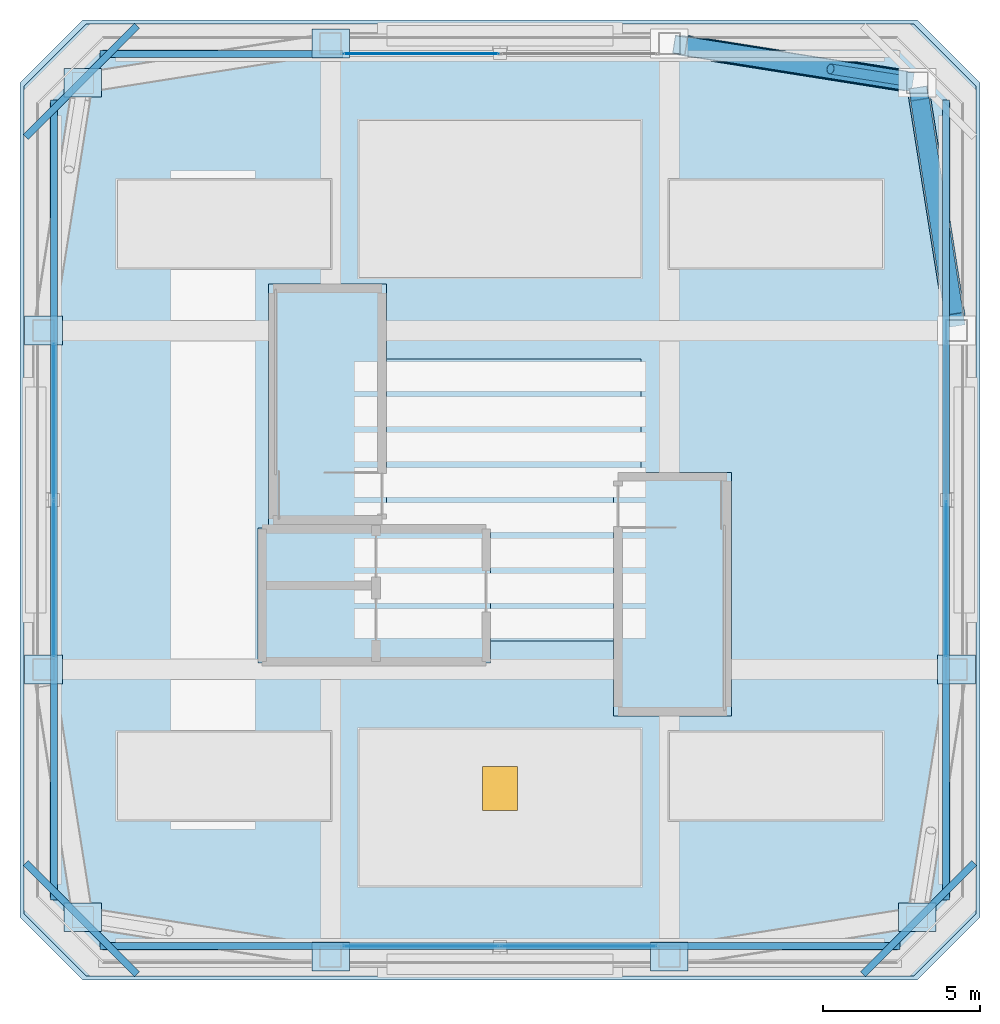
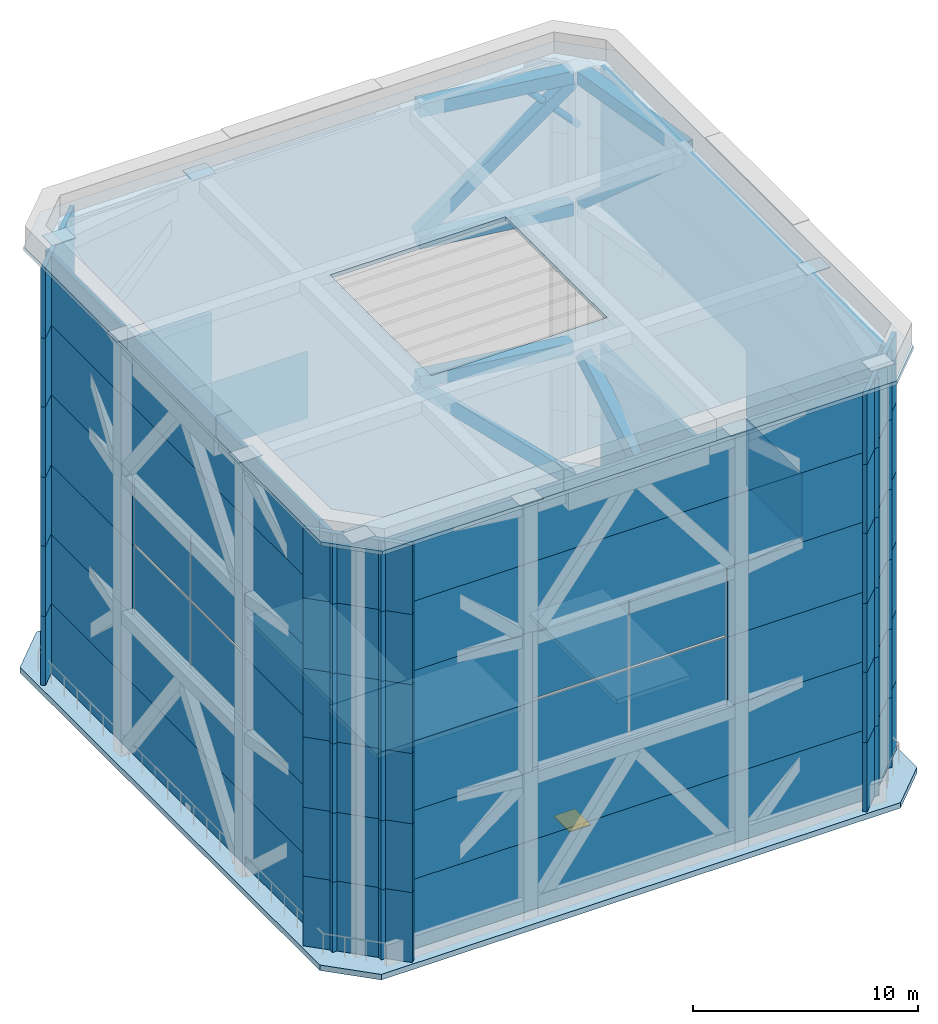
# One storey, part 24 of 28: 62 plates, 5 members, 5 slabs, 4 beams, 1 door, 1 opening, 7 elements without a shape of their own.
"""IFC4 building model written with IfcOpenShell, lengths in metres."""

from ifc_helpers import new_model, si_unit, direction, frame, origin, origin_2d, place, context, subcontext, project, spatial, polyline, rectangle, hollow_rectangle, hollow_circle, outline, extrude, material, layer, layer_set, material_profile, profile_set, type_object, element, fill, aggregate, save


model = new_model("IFC4")

# Units and contexts
model_context = context("Model", 3, precision=1e-05, world=origin(), true_north=direction((0.0, 1.0)))
body_context = subcontext(model_context, "Body", "Model", "MODEL_VIEW")
ifc_project = project(units=[si_unit("LENGTHUNIT", "METRE"), si_unit("AREAUNIT", "SQUARE_METRE"), si_unit("VOLUMEUNIT", "CUBIC_METRE"), si_unit("PLANEANGLEUNIT", "RADIAN"), si_unit("MASSUNIT", "GRAM", prefix="KILO")], contexts=[model_context])

# Site, building, storey
site_placement = place(None, origin())
site = spatial("IfcSite", under=ifc_project, at=site_placement, CompositionType="ELEMENT")
building_placement = place(site_placement, origin())
building = spatial("IfcBuilding", under=site, at=building_placement, Name="Tashvorn Skyway Center", CompositionType="ELEMENT")
storey_placement = place(building_placement, frame((0.0, 0.0, 277.60009765625)))
storey = spatial("IfcBuildingStorey", under=building, at=storey_placement, Name="Roof Level", CompositionType="ELEMENT", Elevation=277.60009765625)

# Beams
ifc_material_1 = material(Name="Steel ASTM A572 Grade 50", Category="steel")
ifc_material_profile_1 = material_profile(ifc_material_1, hollow_rectangle(XDim=0.64990234375, YDim=0.64990234375, WallThickness=0.02490234375, at=origin_2d()), Name="BOX650x650x25")
ifc_profile_set_1 = profile_set([ifc_material_profile_1], Name="Steel ASTM A572 Grade 50")
beam_type_1 = type_object("IfcBeamType", Name="BM-BEAM-BOX650x650x25", PredefinedType="BEAM", material=ifc_profile_set_1)
for number, where, z_axis, x_axis, name in (
    (1, (54.959228515625, 45.35400390625, 7.52978515625), (-0.987713891031, 0.156273060583, 0.0), (-0.156273060583, -0.987713891031, 0.0), "CROWN FRAME Tower 1 Lower-Tier Ring Beam 07"),
    (2, (54.959228515625, 45.35400390625, 15.059814453125), (-0.987713891031, 0.156273060583, 0.0), (-0.156273060583, -0.987713891031, 0.0), "CROWN FRAME Tower 1 Upper-Tier Ring Beam 07"),
):
    element("IfcBeam", number, at=place(storey_placement, frame(where, z_axis=z_axis, x_axis=x_axis)), inside=storey, type_object=beam_type_1, Name=name, PredefinedType="BEAM", context=body_context, shape_type="SweptSolid", body=[
        extrude(hollow_rectangle(XDim=0.64990234375, YDim=0.64990234375, WallThickness=0.02490234375, at=origin_2d()), origin(), (0.0, 0.0, 1.0), 7.308349609375),
    ])
ifc_material_profile_2 = material_profile(ifc_material_1, hollow_rectangle(XDim=0.699951171875, YDim=0.699951171875, WallThickness=0.028076171875, at=origin_2d()), Name="BOX700x700x28")
ifc_profile_set_2 = profile_set([ifc_material_profile_2], Name="Steel ASTM A572 Grade 50")
beam_type_2 = type_object("IfcBeamType", Name="BM-BEAM-BOX700x700x28", PredefinedType="BEAM", material=ifc_profile_set_2)
for number, where, z_axis, x_axis, name in (
    (3, (56.49609375, 37.74072265625, 22.239990234375), (-0.156273060583, 0.987713891031, 0.0), (-0.987713891031, -0.156273060583, 0.0), "CROWN FRAME Tower 1 Top Cap Ring Beam 06"),
    (4, (54.959228515625, 45.35400390625, 22.239990234375), (-0.987713891031, 0.156273060583, 0.0), (-0.156273060583, -0.987713891031, 0.0), "CROWN FRAME Tower 1 Top Cap Ring Beam 07"),
):
    element("IfcBeam", number, at=place(storey_placement, frame(where, z_axis=z_axis, x_axis=x_axis)), inside=storey, type_object=beam_type_2, Name=name, PredefinedType="BEAM", context=body_context, shape_type="SweptSolid", body=[
        extrude(hollow_rectangle(XDim=0.699951171875, YDim=0.699951171875, WallThickness=0.028076171875, at=origin_2d()), origin(), (0.0, 0.0, 1.0), 7.308349609375),
    ])

# Members
ifc_material_profile_3 = material_profile(ifc_material_1, hollow_rectangle(XDim=0.60009765625, YDim=0.60009765625, WallThickness=0.02490234375, at=origin_2d()), Name="BOX600x600x25")
ifc_profile_set_3 = profile_set([ifc_material_profile_3], Name="Steel ASTM A572 Grade 50")
member_type_1 = type_object("IfcMemberType", Name="MEM-CF-BRC-600", PredefinedType="BRACE", material=ifc_profile_set_3)
member_1_placement = place(storey_placement, frame((56.49609375, 37.74072265625, 0.349853515625), z_axis=(-0.113940248546, 0.720152058307, 0.684396546365), x_axis=(-0.987713891031, -0.156273060583, 0.0)))
element("IfcMember", 5, at=member_1_placement, inside=storey, type_object=member_type_1, Name="CROWN FRAME Tower 1 Lower Portal Brace 06", PredefinedType="BRACE", context=body_context, shape_type="SweptSolid", body=[
    extrude(hollow_rectangle(XDim=0.60009765625, YDim=0.60009765625, WallThickness=0.02490234375, at=origin_2d()), origin(), (0.0, 0.0, 1.0), 10.023681640625),
])
member_2_placement = place(storey_placement, frame((55.35400390625, 44.959228515625, 15.3798828125), z_axis=(0.116611530317, -0.737035724004, 0.665717727373), x_axis=(0.987713891031, 0.156273060583, 0.0)))
element("IfcMember", 6, at=member_2_placement, inside=storey, type_object=member_type_1, Name="CROWN FRAME Tower 1 Upper Portal Brace 06", PredefinedType="BRACE", context=body_context, shape_type="SweptSolid", body=[
    extrude(hollow_rectangle(XDim=0.60009765625, YDim=0.60009765625, WallThickness=0.02490234375, at=origin_2d()), origin(), (0.0, 0.0, 1.0), 9.7939453125),
])
member_3_placement = place(storey_placement, frame((54.959228515625, 45.35400390625, 0.349853515625), z_axis=(-0.720152058307, 0.113940248546, 0.684396546365), x_axis=(-0.156273060583, -0.987713891031, 0.0)))
element("IfcMember", 7, at=member_3_placement, inside=storey, type_object=member_type_1, Name="CROWN FRAME Tower 1 Lower Portal Brace 07", PredefinedType="BRACE", context=body_context, shape_type="SweptSolid", body=[
    extrude(hollow_rectangle(XDim=0.60009765625, YDim=0.60009765625, WallThickness=0.02490234375, at=origin_2d()), origin(), (0.0, 0.0, 1.0), 10.023681640625),
])
member_4_placement = place(storey_placement, frame((47.74072265625, 46.49609375, 15.3798828125), z_axis=(0.737035724004, -0.116611530317, 0.665717727373), x_axis=(0.156273060583, 0.987713891031, 0.0)))
element("IfcMember", 8, at=member_4_placement, inside=storey, type_object=member_type_1, Name="CROWN FRAME Tower 1 Upper Portal Brace 07", PredefinedType="BRACE", context=body_context, shape_type="SweptSolid", body=[
    extrude(hollow_rectangle(XDim=0.60009765625, YDim=0.60009765625, WallThickness=0.02490234375, at=origin_2d()), origin(), (0.0, 0.0, 1.0), 9.7939453125),
])
ifc_material_profile_4 = material_profile(ifc_material_1, hollow_circle(Radius=0.162109375, WallThickness=0.01611328125, at=origin_2d()), Name="CHS324x16")
ifc_profile_set_4 = profile_set([ifc_material_profile_4], Name="Steel ASTM A572 Grade 50")
member_type_2 = type_object("IfcMemberType", Name="MEM-ST-324", PredefinedType="STRUT", material=ifc_profile_set_4)
member_5_placement = place(storey_placement, frame((55.300048828125, 45.300048828125, 19.389892578125), z_axis=(-0.692140281618, 0.109510452469, 0.713406820378), x_axis=(-0.156276041632, -0.987713419374, 0.0)))
element("IfcMember", 9, at=member_5_placement, inside=storey, type_object=member_type_2, Name="CROWN FRAME Tower 1 Corner Knee-Strut 3", PredefinedType="STRUT", context=body_context, shape_type="SweptSolid", body=[
    extrude(hollow_circle(Radius=0.162109375, WallThickness=0.01611328125, at=origin_2d()), origin(), (0.0, 0.0, 1.0), 3.9951171875),
])

# Curtain wall, plates
ifc_material_2 = material(Name="Thermally broken bronze-anodized aluminium 6063-T6", Category="aluminium")
curtain_wall_type = type_object("IfcCurtainWallType", Name="CW-CW-SKY", PredefinedType="NOTDEFINED", material=ifc_material_2)
curtain_wall_1_placement = place(storey_placement, origin())
curtain_wall_1 = element("IfcCurtainWall", 10, at=curtain_wall_1_placement, inside=storey, type_object=curtain_wall_type, Name="CROWN Lantern Fritted Curtain Wall T1 S-3", PredefinedType="NOTDEFINED")
ifc_material_3 = material(Name="Low-E solar-control double insulating safety glass", Category="glass")
ifc_layer_1 = layer(ifc_material_3, 0.028076171875)
ifc_layer_set_1 = layer_set([ifc_layer_1], Name="Low-E solar-control double insulating safety glass")
plate_type_1 = type_object("IfcPlateType", Name="CWP-CW-SKY", PredefinedType="CURTAIN_PANEL", material=ifc_layer_set_1)
plate_1_placement = place(storey_placement, frame((44.5087890625, 17.780029296875, 7.5947265625), z_axis=(0.0, 0.0, 1.0), x_axis=(-1.0, 0.0, 0.0)))
plate_1 = element("IfcPlate", 11, at=plate_1_placement, type_object=plate_type_1, Name="CW-SKY panel 1.1", PredefinedType="CURTAIN_PANEL", context=body_context, shape_type="SweptSolid", body=[
    extrude(rectangle(XDim=4.952392578125, YDim=0.028076171875, at=origin_2d()), origin(), (0.0, 0.0, 1.0), 3.635009765625),
])
plate_2_placement = place(storey_placement, frame((39.4912109375, 17.780029296875, 7.5947265625), z_axis=(0.0, 0.0, 1.0), x_axis=(-1.0, 0.0, 0.0)))
plate_2 = element("IfcPlate", 12, at=plate_2_placement, type_object=plate_type_1, Name="CW-SKY panel 2.1", PredefinedType="CURTAIN_PANEL", context=body_context, shape_type="SweptSolid", body=[
    extrude(rectangle(XDim=4.952392578125, YDim=0.028076171875, at=origin_2d()), origin(), (0.0, 0.0, 1.0), 3.635009765625),
])
aggregate(curtain_wall_1, [plate_1, plate_2])

curtain_wall_2_placement = place(storey_placement, origin())
curtain_wall_2 = element("IfcCurtainWall", 13, at=curtain_wall_2_placement, inside=storey, type_object=curtain_wall_type, Name="CROWN Lantern Fritted Curtain Wall T1 S-4", PredefinedType="NOTDEFINED")
plate_3_placement = place(storey_placement, frame((44.5087890625, 17.780029296875, 11.35986328125), z_axis=(0.0, 0.0, 1.0), x_axis=(-1.0, 0.0, 0.0)))
plate_3 = element("IfcPlate", 14, at=plate_3_placement, type_object=plate_type_1, Name="CW-SKY panel 1.1", PredefinedType="CURTAIN_PANEL", context=body_context, shape_type="SweptSolid", body=[
    extrude(rectangle(XDim=4.952392578125, YDim=0.028076171875, at=origin_2d()), origin(), (0.0, 0.0, 1.0), 3.635009765625),
])
plate_4_placement = place(storey_placement, frame((39.4912109375, 17.780029296875, 11.35986328125), z_axis=(0.0, 0.0, 1.0), x_axis=(-1.0, 0.0, 0.0)))
plate_4 = element("IfcPlate", 15, at=plate_4_placement, type_object=plate_type_1, Name="CW-SKY panel 2.1", PredefinedType="CURTAIN_PANEL", context=body_context, shape_type="SweptSolid", body=[
    extrude(rectangle(XDim=4.952392578125, YDim=0.028076171875, at=origin_2d()), origin(), (0.0, 0.0, 1.0), 3.635009765625),
])
aggregate(curtain_wall_2, [plate_3, plate_4])

# Curtain wall, plate
curtain_wall_3_placement = place(storey_placement, origin())
curtain_wall_3 = element("IfcCurtainWall", 16, at=curtain_wall_3_placement, inside=storey, type_object=curtain_wall_type, Name="CROWN Lantern Fritted Curtain Wall T1 E-3", PredefinedType="NOTDEFINED")
plate_5_placement = place(storey_placement, frame((56.219970703125, 29.4912109375, 7.5947265625), z_axis=(0.0, 0.0, 1.0), x_axis=(0.0, -1.0, 0.0)))
plate_5 = element("IfcPlate", 17, at=plate_5_placement, type_object=plate_type_1, Name="CW-SKY panel 2.1", PredefinedType="CURTAIN_PANEL", context=body_context, shape_type="SweptSolid", body=[
    extrude(rectangle(XDim=4.952392578125, YDim=0.028076171875, at=origin_2d()), origin(), (0.0, 0.0, 1.0), 3.635009765625),
])
aggregate(curtain_wall_3, [plate_5])

curtain_wall_4_placement = place(storey_placement, origin())
curtain_wall_4 = element("IfcCurtainWall", 18, at=curtain_wall_4_placement, inside=storey, type_object=curtain_wall_type, Name="CROWN Lantern Fritted Curtain Wall T1 E-4", PredefinedType="NOTDEFINED")
plate_6_placement = place(storey_placement, frame((56.219970703125, 29.4912109375, 11.35986328125), z_axis=(0.0, 0.0, 1.0), x_axis=(0.0, -1.0, 0.0)))
plate_6 = element("IfcPlate", 19, at=plate_6_placement, type_object=plate_type_1, Name="CW-SKY panel 2.1", PredefinedType="CURTAIN_PANEL", context=body_context, shape_type="SweptSolid", body=[
    extrude(rectangle(XDim=4.952392578125, YDim=0.028076171875, at=origin_2d()), origin(), (0.0, 0.0, 1.0), 3.635009765625),
])
aggregate(curtain_wall_4, [plate_6])

curtain_wall_5_placement = place(storey_placement, origin())
curtain_wall_5 = element("IfcCurtainWall", 20, at=curtain_wall_5_placement, inside=storey, type_object=curtain_wall_type, Name="CROWN Lantern Fritted Curtain Wall T1 N-3", PredefinedType="NOTDEFINED")
plate_7_placement = place(storey_placement, frame((39.4912109375, 46.219970703125, 7.5947265625), z_axis=(0.0, 0.0, 1.0), x_axis=(1.0, 0.0, 0.0)))
plate_7 = element("IfcPlate", 21, at=plate_7_placement, type_object=plate_type_1, Name="CW-SKY panel 1.1", PredefinedType="CURTAIN_PANEL", context=body_context, shape_type="SweptSolid", body=[
    extrude(rectangle(XDim=4.952392578125, YDim=0.028076171875, at=origin_2d()), origin(), (0.0, 0.0, 1.0), 3.635009765625),
])
aggregate(curtain_wall_5, [plate_7])

# Curtain wall, plates
curtain_wall_6_placement = place(storey_placement, origin())
curtain_wall_6 = element("IfcCurtainWall", 22, at=curtain_wall_6_placement, inside=storey, type_object=curtain_wall_type, Name="CROWN Lantern Fritted Curtain Wall T1 W-3", PredefinedType="NOTDEFINED")
plate_8_placement = place(storey_placement, frame((27.780029296875, 29.4912109375, 7.5947265625), z_axis=(0.0, 0.0, 1.0), x_axis=(0.0, 1.0, 0.0)))
plate_8 = element("IfcPlate", 23, at=plate_8_placement, type_object=plate_type_1, Name="CW-SKY panel 1.1", PredefinedType="CURTAIN_PANEL", context=body_context, shape_type="SweptSolid", body=[
    extrude(rectangle(XDim=4.952392578125, YDim=0.028076171875, at=origin_2d()), origin(), (0.0, 0.0, 1.0), 3.635009765625),
])
plate_9_placement = place(storey_placement, frame((27.780029296875, 34.5087890625, 7.5947265625), z_axis=(0.0, 0.0, 1.0), x_axis=(0.0, 1.0, 0.0)))
plate_9 = element("IfcPlate", 24, at=plate_9_placement, type_object=plate_type_1, Name="CW-SKY panel 2.1", PredefinedType="CURTAIN_PANEL", context=body_context, shape_type="SweptSolid", body=[
    extrude(rectangle(XDim=4.952392578125, YDim=0.028076171875, at=origin_2d()), origin(), (0.0, 0.0, 1.0), 3.635009765625),
])
aggregate(curtain_wall_6, [plate_8, plate_9])

curtain_wall_7_placement = place(storey_placement, origin())
curtain_wall_7 = element("IfcCurtainWall", 25, at=curtain_wall_7_placement, inside=storey, type_object=curtain_wall_type, Name="CROWN Lantern Fritted Curtain Wall T1 W-4", PredefinedType="NOTDEFINED")
plate_10_placement = place(storey_placement, frame((27.780029296875, 29.4912109375, 11.35986328125), z_axis=(0.0, 0.0, 1.0), x_axis=(0.0, 1.0, 0.0)))
plate_10 = element("IfcPlate", 26, at=plate_10_placement, type_object=plate_type_1, Name="CW-SKY panel 1.1", PredefinedType="CURTAIN_PANEL", context=body_context, shape_type="SweptSolid", body=[
    extrude(rectangle(XDim=4.952392578125, YDim=0.028076171875, at=origin_2d()), origin(), (0.0, 0.0, 1.0), 3.635009765625),
])
plate_11_placement = place(storey_placement, frame((27.780029296875, 34.5087890625, 11.35986328125), z_axis=(0.0, 0.0, 1.0), x_axis=(0.0, 1.0, 0.0)))
plate_11 = element("IfcPlate", 27, at=plate_11_placement, type_object=plate_type_1, Name="CW-SKY panel 2.1", PredefinedType="CURTAIN_PANEL", context=body_context, shape_type="SweptSolid", body=[
    extrude(rectangle(XDim=4.952392578125, YDim=0.028076171875, at=origin_2d()), origin(), (0.0, 0.0, 1.0), 3.635009765625),
])
aggregate(curtain_wall_7, [plate_10, plate_11])

# Plates
ifc_layer_2 = layer(ifc_material_1, 0.034912109375)
ifc_layer_set_2 = layer_set([ifc_layer_2], Name="Steel ASTM A572 Grade 50")
plate_type_2 = type_object("IfcPlateType", Name="PLT-CAP-35", PredefinedType="USERDEFINED", material=ifc_layer_set_2)
for number, where, z_axis, x_axis, name in (
    (28, (28.699951171875, 18.699951171875, 22.58740234375), (0.0, 0.0, 1.0), (1.0, 0.0, 0.0), "CROWN FRAME Tower 1 Column Cap Plate MC-SW"),
    (29, (55.300048828125, 18.699951171875, 22.58740234375), (0.0, 0.0, 1.0), (1.0, 0.0, 0.0), "CROWN FRAME Tower 1 Column Cap Plate MC-SE"),
    (30, (28.699951171875, 45.300048828125, 22.58740234375), (0.0, 0.0, 1.0), (1.0, 0.0, 0.0), "CROWN FRAME Tower 1 Column Cap Plate MC-NW"),
    (31, (36.60009765625, 17.449951171875, 22.58740234375), (0.0, 0.0, 1.0), (1.0, 0.0, 0.0), "CROWN FRAME Tower 1 Column Cap Plate FC-S1"),
    (32, (47.39990234375, 17.449951171875, 22.58740234375), (0.0, 0.0, 1.0), (1.0, 0.0, 0.0), "CROWN FRAME Tower 1 Column Cap Plate FC-S2"),
    (33, (56.550048828125, 26.60009765625, 22.58740234375), (0.0, 0.0, 1.0), (1.0, 0.0, 0.0), "CROWN FRAME Tower 1 Column Cap Plate FC-E1"),
    (34, (36.60009765625, 46.550048828125, 22.58740234375), (0.0, 0.0, 1.0), (1.0, 0.0, 0.0), "CROWN FRAME Tower 1 Column Cap Plate FC-N2"),
    (35, (27.449951171875, 37.39990234375, 22.58740234375), (0.0, 0.0, 1.0), (1.0, 0.0, 0.0), "CROWN FRAME Tower 1 Column Cap Plate FC-W1"),
    (36, (27.449951171875, 26.60009765625, 22.58740234375), (0.0, 0.0, 1.0), (1.0, 0.0, 0.0), "CROWN FRAME Tower 1 Column Cap Plate FC-W2"),
):
    element("IfcPlate", number, at=place(storey_placement, frame(where, z_axis=z_axis, x_axis=x_axis)), inside=storey, type_object=plate_type_2, Name=name, ObjectType="END PLATE", PredefinedType="USERDEFINED", context=body_context, shape_type="SweptSolid", body=[
        extrude(rectangle(XDim=1.199951171875, YDim=0.919921875, at=origin_2d()), origin(), (0.0, 0.0, 1.0), 0.034912109375),
    ])
ifc_material_4 = material(Name="Perforated ceramic-coated bronze aluminium solar screen", Category="aluminium")
ifc_layer_3 = layer(ifc_material_4, 0.219970703125)
ifc_layer_set_3 = layer_set([ifc_layer_3], Name="Perforated ceramic-coated bronze aluminium solar screen")
plate_type_3 = type_object("IfcPlateType", Name="PLT-CROWN-SCREEN", PredefinedType="USERDEFINED", material=ifc_layer_set_3)
for number, where, z_axis, x_axis, name in (
    (37, (42.0, 17.780029296875, -0.02001953125), (0.0, 0.0, 1.0), (1.0, 0.0, 0.0), "CROWN Perforated Ceramic-Metal Solar Screen Panel T1 S-1"),
    (38, (42.0, 17.780029296875, 3.7451171875), (0.0, 0.0, 1.0), (1.0, 0.0, 0.0), "CROWN Perforated Ceramic-Metal Solar Screen Panel T1 S-2"),
):
    element("IfcPlate", number, at=place(storey_placement, frame(where, z_axis=z_axis, x_axis=x_axis)), inside=storey, type_object=plate_type_3, Name=name, ObjectType="SOLAR SCREEN", PredefinedType="USERDEFINED", context=body_context, shape_type="SweptSolid", body=[
        extrude(rectangle(XDim=25.5, YDim=0.219970703125, at=origin_2d()), origin(), (0.0, 0.0, 1.0), 3.804931640625),
    ])
for number, where, z_axis, x_axis, name in (
    (39, (50.875, 17.780029296875, 7.509765625), (0.0, 0.0, 1.0), (1.0, 0.0, 0.0), "CROWN Solar Screen Flanking Panel T1 S-3L"),
    (40, (33.125, 17.780029296875, 7.509765625), (0.0, 0.0, 1.0), (1.0, 0.0, 0.0), "CROWN Solar Screen Flanking Panel T1 S-3R"),
    (41, (50.875, 17.780029296875, 11.27490234375), (0.0, 0.0, 1.0), (1.0, 0.0, 0.0), "CROWN Solar Screen Flanking Panel T1 S-4L"),
    (42, (33.125, 17.780029296875, 11.27490234375), (0.0, 0.0, 1.0), (1.0, 0.0, 0.0), "CROWN Solar Screen Flanking Panel T1 S-4R"),
):
    element("IfcPlate", number, at=place(storey_placement, frame(where, z_axis=z_axis, x_axis=x_axis)), inside=storey, type_object=plate_type_3, Name=name, ObjectType="SOLAR SCREEN", PredefinedType="USERDEFINED", context=body_context, shape_type="SweptSolid", body=[
        extrude(rectangle(XDim=7.75, YDim=0.219970703125, at=origin_2d()), origin(), (0.0, 0.0, 1.0), 3.804931640625),
    ])
for number, where, z_axis, x_axis, name in (
    (43, (42.0, 17.780029296875, 15.0400390625), (0.0, 0.0, 1.0), (1.0, 0.0, 0.0), "CROWN Perforated Ceramic-Metal Solar Screen Panel T1 S-5"),
    (44, (42.0, 17.780029296875, 18.80517578125), (0.0, 0.0, 1.0), (1.0, 0.0, 0.0), "CROWN Perforated Ceramic-Metal Solar Screen Panel T1 S-6"),
    (45, (56.219970703125, 32.0, -0.02001953125), (0.0, 0.0, 1.0), (0.0, 1.0, 0.0), "CROWN Perforated Ceramic-Metal Solar Screen Panel T1 E-1"),
    (46, (56.219970703125, 32.0, 3.7451171875), (0.0, 0.0, 1.0), (0.0, 1.0, 0.0), "CROWN Perforated Ceramic-Metal Solar Screen Panel T1 E-2"),
):
    element("IfcPlate", number, at=place(storey_placement, frame(where, z_axis=z_axis, x_axis=x_axis)), inside=storey, type_object=plate_type_3, Name=name, ObjectType="SOLAR SCREEN", PredefinedType="USERDEFINED", context=body_context, shape_type="SweptSolid", body=[
        extrude(rectangle(XDim=25.5, YDim=0.219970703125, at=origin_2d()), origin(), (0.0, 0.0, 1.0), 3.804931640625),
    ])
for number, where, z_axis, x_axis, name in (
    (47, (56.219970703125, 23.125, 7.509765625), (0.0, 0.0, 1.0), (0.0, 1.0, 0.0), "CROWN Solar Screen Flanking Panel T1 E-3R"),
    (48, (56.219970703125, 23.125, 11.27490234375), (0.0, 0.0, 1.0), (0.0, 1.0, 0.0), "CROWN Solar Screen Flanking Panel T1 E-4R"),
):
    element("IfcPlate", number, at=place(storey_placement, frame(where, z_axis=z_axis, x_axis=x_axis)), inside=storey, type_object=plate_type_3, Name=name, ObjectType="SOLAR SCREEN", PredefinedType="USERDEFINED", context=body_context, shape_type="SweptSolid", body=[
        extrude(rectangle(XDim=7.75, YDim=0.219970703125, at=origin_2d()), origin(), (0.0, 0.0, 1.0), 3.804931640625),
    ])
for number, where, z_axis, x_axis, name in (
    (49, (56.219970703125, 32.0, 15.0400390625), (0.0, 0.0, 1.0), (0.0, 1.0, 0.0), "CROWN Perforated Ceramic-Metal Solar Screen Panel T1 E-5"),
    (50, (56.219970703125, 32.0, 18.80517578125), (0.0, 0.0, 1.0), (0.0, 1.0, 0.0), "CROWN Perforated Ceramic-Metal Solar Screen Panel T1 E-6"),
):
    element("IfcPlate", number, at=place(storey_placement, frame(where, z_axis=z_axis, x_axis=x_axis)), inside=storey, type_object=plate_type_3, Name=name, ObjectType="SOLAR SCREEN", PredefinedType="USERDEFINED", context=body_context, shape_type="SweptSolid", body=[
        extrude(rectangle(XDim=25.5, YDim=0.219970703125, at=origin_2d()), origin(), (0.0, 0.0, 1.0), 3.804931640625),
    ])
for number, where, z_axis, x_axis, name in (
    (51, (33.125, 46.219970703125, 7.509765625), (0.0, 0.0, 1.0), (-1.0, 0.0, 0.0), "CROWN Solar Screen Flanking Panel T1 N-3L"),
    (52, (33.125, 46.219970703125, 11.27490234375), (0.0, 0.0, 1.0), (-1.0, 0.0, 0.0), "CROWN Solar Screen Flanking Panel T1 N-4L"),
):
    element("IfcPlate", number, at=place(storey_placement, frame(where, z_axis=z_axis, x_axis=x_axis)), inside=storey, type_object=plate_type_3, Name=name, ObjectType="SOLAR SCREEN", PredefinedType="USERDEFINED", context=body_context, shape_type="SweptSolid", body=[
        extrude(rectangle(XDim=7.75, YDim=0.219970703125, at=origin_2d()), origin(), (0.0, 0.0, 1.0), 3.804931640625),
    ])
for number, where, z_axis, x_axis, name in (
    (53, (27.780029296875, 32.0, -0.02001953125), (0.0, 0.0, 1.0), (0.0, -1.0, 0.0), "CROWN Perforated Ceramic-Metal Solar Screen Panel T1 W-1"),
    (54, (27.780029296875, 32.0, 3.7451171875), (0.0, 0.0, 1.0), (0.0, -1.0, 0.0), "CROWN Perforated Ceramic-Metal Solar Screen Panel T1 W-2"),
):
    element("IfcPlate", number, at=place(storey_placement, frame(where, z_axis=z_axis, x_axis=x_axis)), inside=storey, type_object=plate_type_3, Name=name, ObjectType="SOLAR SCREEN", PredefinedType="USERDEFINED", context=body_context, shape_type="SweptSolid", body=[
        extrude(rectangle(XDim=25.5, YDim=0.219970703125, at=origin_2d()), origin(), (0.0, 0.0, 1.0), 3.804931640625),
    ])
for number, where, z_axis, x_axis, name in (
    (55, (27.780029296875, 23.125, 7.509765625), (0.0, 0.0, 1.0), (0.0, -1.0, 0.0), "CROWN Solar Screen Flanking Panel T1 W-3L"),
    (56, (27.780029296875, 40.875, 7.509765625), (0.0, 0.0, 1.0), (0.0, -1.0, 0.0), "CROWN Solar Screen Flanking Panel T1 W-3R"),
    (57, (27.780029296875, 23.125, 11.27490234375), (0.0, 0.0, 1.0), (0.0, -1.0, 0.0), "CROWN Solar Screen Flanking Panel T1 W-4L"),
    (58, (27.780029296875, 40.875, 11.27490234375), (0.0, 0.0, 1.0), (0.0, -1.0, 0.0), "CROWN Solar Screen Flanking Panel T1 W-4R"),
):
    element("IfcPlate", number, at=place(storey_placement, frame(where, z_axis=z_axis, x_axis=x_axis)), inside=storey, type_object=plate_type_3, Name=name, ObjectType="SOLAR SCREEN", PredefinedType="USERDEFINED", context=body_context, shape_type="SweptSolid", body=[
        extrude(rectangle(XDim=7.75, YDim=0.219970703125, at=origin_2d()), origin(), (0.0, 0.0, 1.0), 3.804931640625),
    ])
for number, where, z_axis, x_axis, name in (
    (59, (27.780029296875, 32.0, 15.0400390625), (0.0, 0.0, 1.0), (0.0, -1.0, 0.0), "CROWN Perforated Ceramic-Metal Solar Screen Panel T1 W-5"),
    (60, (27.780029296875, 32.0, 18.80517578125), (0.0, 0.0, 1.0), (0.0, -1.0, 0.0), "CROWN Perforated Ceramic-Metal Solar Screen Panel T1 W-6"),
):
    element("IfcPlate", number, at=place(storey_placement, frame(where, z_axis=z_axis, x_axis=x_axis)), inside=storey, type_object=plate_type_3, Name=name, ObjectType="SOLAR SCREEN", PredefinedType="USERDEFINED", context=body_context, shape_type="SweptSolid", body=[
        extrude(rectangle(XDim=25.5, YDim=0.219970703125, at=origin_2d()), origin(), (0.0, 0.0, 1.0), 3.804931640625),
    ])
for number, where, z_axis, x_axis, name in (
    (61, (28.655029296875, 18.655029296875, -0.02001953125), (0.0, 0.0, 1.0), (-0.707106781187, 0.707106781187, 0.0), "CROWN Perforated Ceramic-Metal Solar Screen Chamfer Panel T1 SW-1"),
    (62, (28.655029296875, 18.655029296875, 3.7451171875), (0.0, 0.0, 1.0), (-0.707106781187, 0.707106781187, 0.0), "CROWN Perforated Ceramic-Metal Solar Screen Chamfer Panel T1 SW-2"),
    (63, (28.655029296875, 18.655029296875, 7.509765625), (0.0, 0.0, 1.0), (-0.707106781187, 0.707106781187, 0.0), "CROWN Perforated Ceramic-Metal Solar Screen Chamfer Panel T1 SW-3"),
    (64, (28.655029296875, 18.655029296875, 11.27490234375), (0.0, 0.0, 1.0), (-0.707106781187, 0.707106781187, 0.0), "CROWN Perforated Ceramic-Metal Solar Screen Chamfer Panel T1 SW-4"),
    (65, (28.655029296875, 18.655029296875, 15.0400390625), (0.0, 0.0, 1.0), (-0.707106781187, 0.707106781187, 0.0), "CROWN Perforated Ceramic-Metal Solar Screen Chamfer Panel T1 SW-5"),
    (66, (28.655029296875, 18.655029296875, 18.80517578125), (0.0, 0.0, 1.0), (-0.707106781187, 0.707106781187, 0.0), "CROWN Perforated Ceramic-Metal Solar Screen Chamfer Panel T1 SW-6"),
    (67, (55.344970703125, 18.655029296875, -0.02001953125), (0.0, 0.0, 1.0), (0.707106781187, 0.707106781187, 0.0), "CROWN Perforated Ceramic-Metal Solar Screen Chamfer Panel T1 SE-1"),
    (68, (55.344970703125, 18.655029296875, 3.7451171875), (0.0, 0.0, 1.0), (0.707106781187, 0.707106781187, 0.0), "CROWN Perforated Ceramic-Metal Solar Screen Chamfer Panel T1 SE-2"),
    (69, (55.344970703125, 18.655029296875, 7.509765625), (0.0, 0.0, 1.0), (0.707106781187, 0.707106781187, 0.0), "CROWN Perforated Ceramic-Metal Solar Screen Chamfer Panel T1 SE-3"),
    (70, (55.344970703125, 18.655029296875, 11.27490234375), (0.0, 0.0, 1.0), (0.707106781187, 0.707106781187, 0.0), "CROWN Perforated Ceramic-Metal Solar Screen Chamfer Panel T1 SE-4"),
    (71, (55.344970703125, 18.655029296875, 15.0400390625), (0.0, 0.0, 1.0), (0.707106781187, 0.707106781187, 0.0), "CROWN Perforated Ceramic-Metal Solar Screen Chamfer Panel T1 SE-5"),
    (72, (55.344970703125, 18.655029296875, 18.80517578125), (0.0, 0.0, 1.0), (0.707106781187, 0.707106781187, 0.0), "CROWN Perforated Ceramic-Metal Solar Screen Chamfer Panel T1 SE-6"),
    (73, (28.655029296875, 45.344970703125, -0.02001953125), (0.0, 0.0, 1.0), (-0.707106781187, -0.707106781187, 0.0), "CROWN Perforated Ceramic-Metal Solar Screen Chamfer Panel T1 NW-1"),
    (74, (28.655029296875, 45.344970703125, 3.7451171875), (0.0, 0.0, 1.0), (-0.707106781187, -0.707106781187, 0.0), "CROWN Perforated Ceramic-Metal Solar Screen Chamfer Panel T1 NW-2"),
    (75, (28.655029296875, 45.344970703125, 7.509765625), (0.0, 0.0, 1.0), (-0.707106781187, -0.707106781187, 0.0), "CROWN Perforated Ceramic-Metal Solar Screen Chamfer Panel T1 NW-3"),
    (76, (28.655029296875, 45.344970703125, 11.27490234375), (0.0, 0.0, 1.0), (-0.707106781187, -0.707106781187, 0.0), "CROWN Perforated Ceramic-Metal Solar Screen Chamfer Panel T1 NW-4"),
    (77, (28.655029296875, 45.344970703125, 15.0400390625), (0.0, 0.0, 1.0), (-0.707106781187, -0.707106781187, 0.0), "CROWN Perforated Ceramic-Metal Solar Screen Chamfer Panel T1 NW-5"),
    (78, (28.655029296875, 45.344970703125, 18.80517578125), (0.0, 0.0, 1.0), (-0.707106781187, -0.707106781187, 0.0), "CROWN Perforated Ceramic-Metal Solar Screen Chamfer Panel T1 NW-6"),
):
    element("IfcPlate", number, at=place(storey_placement, frame(where, z_axis=z_axis, x_axis=x_axis)), inside=storey, type_object=plate_type_3, Name=name, ObjectType="SOLAR SCREEN", PredefinedType="USERDEFINED", context=body_context, shape_type="SweptSolid", body=[
        extrude(rectangle(XDim=5.022705078125, YDim=0.219970703125, at=origin_2d()), origin(), (0.0, 0.0, 1.0), 3.804931640625),
    ])

# Slabs
ifc_material_5 = material(Name="Concrete C40/50", Category="concrete")
ifc_layer_4 = layer(ifc_material_5, 0.2099609375)
ifc_layer_set_4 = layer_set([ifc_layer_4], Name="Concrete C40/50")
slab_type_1 = type_object("IfcSlabType", Name="SLAB-CROWN-210", PredefinedType="FLOOR", material=ifc_layer_set_4)
slab_1_placement = place(storey_placement, frame((0.0, 0.0, 22.58984375)))
element("IfcSlab", 79, at=slab_1_placement, inside=storey, type_object=slab_type_1, Name="CROWN FRAME Tower 1 Top Cap Diaphragm Deck", PredefinedType="FLOOR", context=body_context, shape_type="SweptSolid", body=[
    extrude(outline(polyline([(28.820068359375, 16.820068359375), (55.179931640625, 16.820068359375), (57.179931640625, 18.820068359375), (57.179931640625, 45.179931640625), (55.179931640625, 47.179931640625), (28.820068359375, 47.179931640625), (26.820068359375, 45.179931640625), (26.820068359375, 18.820068359375), (28.820068359375, 16.820068359375)]), holes=[polyline([(37.5, 27.5), (46.5, 27.5), (46.5, 36.5), (37.5, 36.5), (37.5, 27.5)])]), origin(), (0.0, 0.0, 1.0), 0.2099609375),
])
slab_2_placement = place(storey_placement, frame((0.0, 0.0, 3.599853515625)))
element("IfcSlab", 80, at=slab_2_placement, inside=storey, type_object=slab_type_1, Name="Tower 1 Stair 1 Penthouse Cap Slab", PredefinedType="FLOOR", context=body_context, shape_type="SweptSolid", body=[
    extrude(outline(polyline([(34.6201171875, 31.1201171875), (38.3798828125, 31.1201171875), (38.3798828125, 38.8798828125), (34.6201171875, 38.8798828125), (34.6201171875, 31.1201171875)])), origin(), (0.0, 0.0, 1.0), 0.25),
])
slab_3_placement = place(storey_placement, frame((0.0, 0.0, 3.599853515625)))
element("IfcSlab", 81, at=slab_3_placement, inside=storey, type_object=slab_type_1, Name="Tower 1 Stair 2 Penthouse Cap Slab", PredefinedType="FLOOR", context=body_context, shape_type="SweptSolid", body=[
    extrude(outline(polyline([(45.6201171875, 25.1201171875), (49.3798828125, 25.1201171875), (49.3798828125, 32.8798828125), (45.6201171875, 32.8798828125), (45.6201171875, 25.1201171875)])), origin(), (0.0, 0.0, 1.0), 0.25),
])
slab_4_placement = place(storey_placement, frame((0.0, 0.0, 3.599853515625)))
element("IfcSlab", 82, at=slab_4_placement, inside=storey, type_object=slab_type_1, Name="Tower 1 Roof Service Lift Penthouse Cap", PredefinedType="FLOOR", context=body_context, shape_type="SweptSolid", body=[
    extrude(outline(polyline([(34.280029296875, 26.81005859375), (41.699951171875, 26.81005859375), (41.699951171875, 31.10009765625), (34.280029296875, 31.10009765625), (34.280029296875, 26.81005859375)])), origin(), (0.0, 0.0, 1.0), 0.25),
])

# Slab, opening, door
ifc_layer_5 = layer(ifc_material_5, 0.300048828125)
ifc_layer_set_5 = layer_set([ifc_layer_5], Name="Concrete C40/50")
slab_type_2 = type_object("IfcSlabType", Name="SLAB-ROOF-300", PredefinedType="ROOF", material=ifc_layer_set_5)
slab_5_placement = place(storey_placement, frame((0.0, 0.0, -0.300048828125)))
slab_5 = element("IfcSlab", 83, at=slab_5_placement, inside=storey, type_object=slab_type_2, Name="Tower 1 Main Structural Roof Slab", PredefinedType="ROOF", context=body_context, shape_type="SweptSolid", body=[
    extrude(outline(polyline([(28.699951171875, 16.699951171875), (55.300048828125, 16.699951171875), (57.300048828125, 18.699951171875), (57.300048828125, 45.300048828125), (55.300048828125, 47.300048828125), (28.699951171875, 47.300048828125), (26.699951171875, 45.300048828125), (26.699951171875, 18.699951171875), (28.699951171875, 16.699951171875)]), holes=[polyline([(38.10009765625, 33.080078125), (38.10009765625, 38.60009765625), (34.89990234375, 38.60009765625), (34.89990234375, 33.080078125), (38.10009765625, 33.080078125)]), polyline([(45.89990234375, 30.919921875), (45.89990234375, 25.39990234375), (49.10009765625, 25.39990234375), (49.10009765625, 30.919921875), (45.89990234375, 30.919921875)]), polyline([(34.949951171875, 29.35009765625), (37.949951171875, 29.35009765625), (37.949951171875, 31.199951171875), (34.949951171875, 31.199951171875), (34.949951171875, 29.35009765625)]), polyline([(34.949951171875, 27.35009765625), (37.949951171875, 27.35009765625), (37.949951171875, 29.199951171875), (34.949951171875, 29.199951171875), (34.949951171875, 27.35009765625)])]), origin(), (0.0, 0.0, 1.0), 0.300048828125),
])
opening_placement = place(slab_5_placement, frame((42.0, 22.800048828125, 0.0)))
opening = element("IfcOpeningElement", 84, at=opening_placement, cuts=slab_5, Name="Opening DH-1100", PredefinedType="OPENING", context=body_context, shape_type="SweptSolid", body=[
    extrude(rectangle(XDim=1.10009765625, YDim=1.39990234375, at=origin_2d()), origin(), (0.0, 0.0, 1.0), 0.300048828125),
])
ifc_material_6 = material(Name="Galvanized steel S355", Category="steel")
door_type = type_object("IfcDoorType", Name="HATCH-ROOF-1100", OperationType="SINGLE_SWING_LEFT", PredefinedType="TRAPDOOR", material=ifc_material_6)
door_placement = place(opening_placement, frame((0.0, 0.0, 0.25)))
door = element("IfcDoor", 85, at=door_placement, inside=storey, type_object=door_type, Name="Tower 1 Crown Roof Maintenance Trapdoor", OperationType="SINGLE_SWING_LEFT", OverallHeight=1.39990234375, OverallWidth=1.10009765625, PredefinedType="TRAPDOOR", context=body_context, shape_type="SweptSolid", body=[
    extrude(rectangle(XDim=1.10009765625, YDim=1.39990234375, at=origin_2d()), origin(), (0.0, 0.0, 1.0), 0.050048828125),
])
fill(opening, door)

save(model, "model.ifc")
